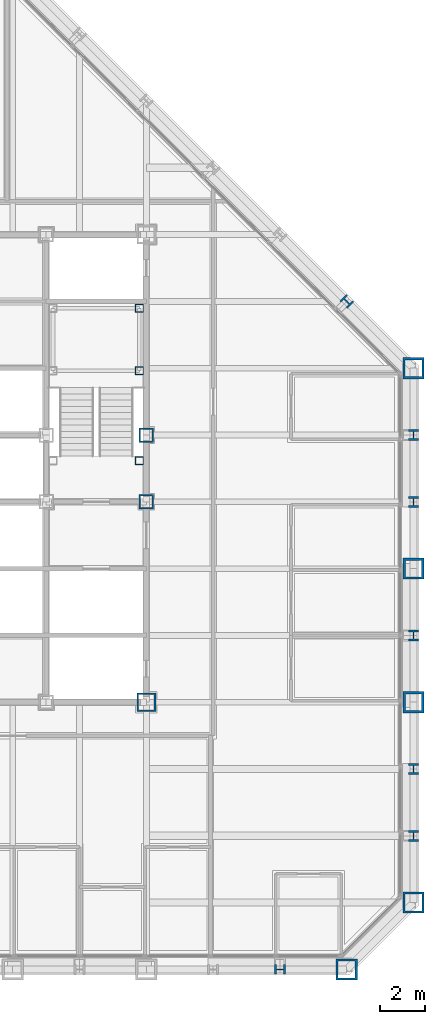
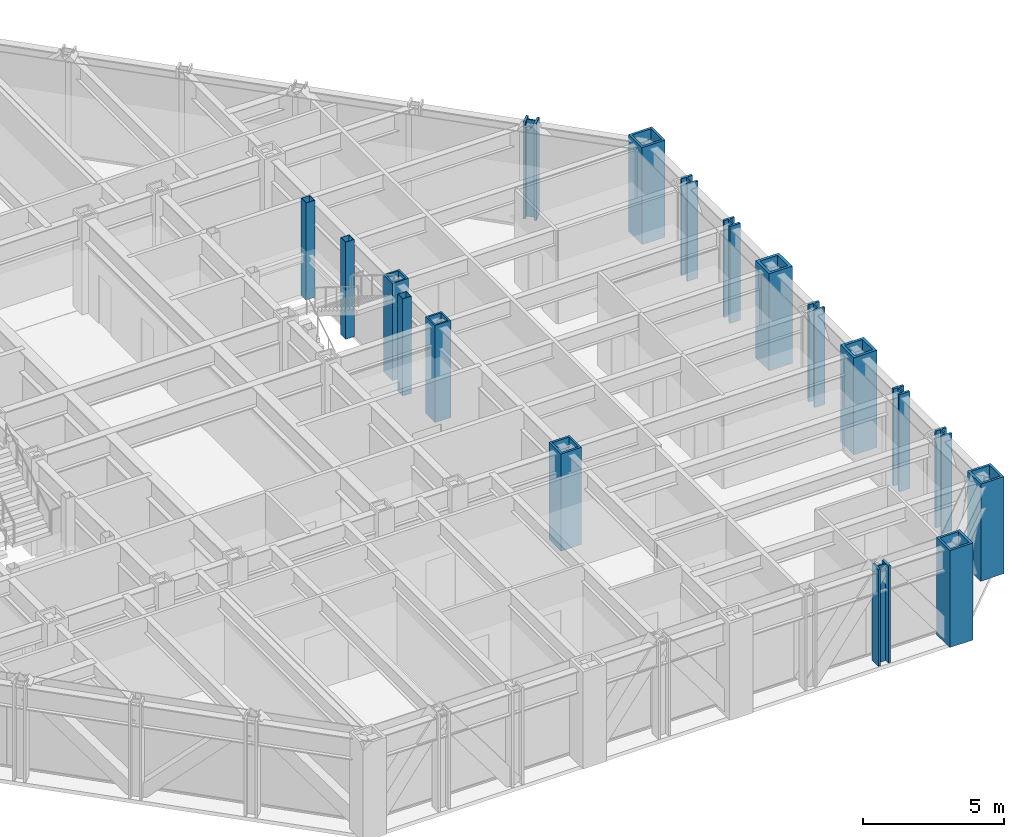
# One storey, part 2 of 16: 18 columns.
"""IFC4 building model written with IfcOpenShell, lengths in metres."""

from ifc_helpers import new_model, si_unit, direction, frame, origin, origin_2d, place, context, subcontext, project, spatial, hollow_rectangle, i_section, extrude, material, material_profile, profile_set, type_object, element, save


model = new_model("IFC4")

# Units and contexts
model_context = context("Model", 3, precision=1e-05, world=origin(), true_north=direction((0.0, 1.0)))
body_context = subcontext(model_context, "Body", "Model", "MODEL_VIEW")
ifc_project = project(units=[si_unit("LENGTHUNIT", "METRE"), si_unit("AREAUNIT", "SQUARE_METRE"), si_unit("VOLUMEUNIT", "CUBIC_METRE"), si_unit("PLANEANGLEUNIT", "RADIAN"), si_unit("MASSUNIT", "GRAM", prefix="KILO")], contexts=[model_context])

# Site, building, storey
site_placement = place(None, origin())
site = spatial("IfcSite", under=ifc_project, at=site_placement, CompositionType="ELEMENT")
building_placement = place(site_placement, origin())
building = spatial("IfcBuilding", under=site, at=building_placement, Name="Chuquiago Exchange Tower", CompositionType="ELEMENT")
storey_placement = place(building_placement, frame((0.0, 0.0, 148.800048828125)))
storey = spatial("IfcBuildingStorey", under=building, at=storey_placement, Name="L32", CompositionType="ELEMENT", Elevation=148.800048828125)

# Columns
ifc_material_1 = material(Name="Steel ASTM A992", Category="steel")
ifc_material_profile_1 = material_profile(ifc_material_1, i_section(OverallWidth=0.431884765625, OverallDepth=0.497802734375, WebThickness=0.0556640625, FlangeThickness=0.0888671875, at=origin_2d()), Name="W14X500")
ifc_profile_set_1 = profile_set([ifc_material_profile_1], Name="Steel ASTM A992")
column_type_1 = type_object("IfcColumnType", Name="C7 W14X500", PredefinedType="COLUMN", material=ifc_profile_set_1)
for number, where, z_axis, x_axis, name in (
    (1, (39.0, 0.0, 0.0), (0.0, 0.0, 1.0), (0.0, -1.0, 0.0), "COL-L32-39_0"),
    (2, (45.0, 6.0, 0.0), (0.0, 0.0, 1.0), (1.0, 0.0, 0.0), "COL-L32-45_6"),
    (3, (45.0, 9.0, 0.0), (0.0, 0.0, 1.0), (1.0, 0.0, 0.0), "COL-L32-45_9"),
    (4, (45.0, 15.0, 0.0), (0.0, 0.0, 1.0), (1.0, 0.0, 0.0), "COL-L32-45_15"),
    (5, (45.0, 21.0, 0.0), (0.0, 0.0, 1.0), (1.0, 0.0, 0.0), "COL-L32-45_21"),
    (6, (45.0, 24.0, 0.0), (0.0, 0.0, 1.0), (1.0, 0.0, 0.0), "COL-L32-45_24"),
):
    element("IfcColumn", number, at=place(storey_placement, frame(where, z_axis=z_axis, x_axis=x_axis)), inside=storey, type_object=column_type_1, Name=name, PredefinedType="COLUMN", context=body_context, shape_type="SweptSolid", body=[
        extrude(i_section(OverallWidth=0.431884765625, OverallDepth=0.497802734375, WebThickness=0.0556640625, FlangeThickness=0.0888671875, at=origin_2d()), origin(), (0.0, 0.0, 1.0), 4.199951171875),
    ])
ifc_material_2 = material(Name="Steel ASTM A572 Grade 50", Category="steel")
ifc_material_profile_2 = material_profile(ifc_material_2, hollow_rectangle(XDim=0.85009765625, YDim=0.85009765625, WallThickness=0.0849609375, at=origin_2d()), Name="BOX850X850X85")
ifc_profile_set_2 = profile_set([ifc_material_profile_2], Name="Steel ASTM A572 Grade 50")
column_type_2 = type_object("IfcColumnType", Name="CC6 BOX850X850X85", PredefinedType="COLUMN", material=ifc_profile_set_2)
column_1_placement = place(storey_placement, frame((33.0, 12.0, 0.0), z_axis=(0.0, 0.0, 1.0), x_axis=(1.0, 0.0, 0.0)))
element("IfcColumn", 7, at=column_1_placement, inside=storey, type_object=column_type_2, Name="CCOL-L32-33_12", PredefinedType="COLUMN", context=body_context, shape_type="SweptSolid", body=[
    extrude(hollow_rectangle(XDim=0.85009765625, YDim=0.85009765625, WallThickness=0.0849609375, at=origin_2d()), origin(), (0.0, 0.0, 1.0), 4.199951171875),
])
ifc_material_3 = material(Name="Steel ASTM A572 Grade 50", Category="steel")
ifc_material_profile_3 = material_profile(ifc_material_3, hollow_rectangle(XDim=0.64990234375, YDim=0.64990234375, WallThickness=0.06494140625, at=origin_2d()), Name="BOX650X650X65")
ifc_profile_set_3 = profile_set([ifc_material_profile_3], Name="Steel ASTM A572 Grade 50")
column_type_3 = type_object("IfcColumnType", Name="CC7 BOX650X650X65", PredefinedType="COLUMN", material=ifc_profile_set_3)
for number, where, z_axis, x_axis, name in (
    (8, (33.0, 21.0, 0.0), (0.0, 0.0, 1.0), (1.0, 0.0, 0.0), "CCOL-L32-33_21"),
    (9, (33.0, 24.0, 0.0), (0.0, 0.0, 1.0), (1.0, 0.0, 0.0), "CCOL-L32-33_24"),
):
    element("IfcColumn", number, at=place(storey_placement, frame(where, z_axis=z_axis, x_axis=x_axis)), inside=storey, type_object=column_type_3, Name=name, PredefinedType="COLUMN", context=body_context, shape_type="SweptSolid", body=[
        extrude(hollow_rectangle(XDim=0.64990234375, YDim=0.64990234375, WallThickness=0.06494140625, at=origin_2d()), origin(), (0.0, 0.0, 1.0), 4.199951171875),
    ])
ifc_material_4 = material(Name="Steel ASTM A992", Category="steel")
ifc_material_profile_4 = material_profile(ifc_material_4, i_section(OverallWidth=0.4267578125, OverallDepth=0.482666015625, WebThickness=0.05126953125, FlangeThickness=0.08154296875, at=origin_2d()), Name="W14X455")
ifc_profile_set_4 = profile_set([ifc_material_profile_4], Name="Steel ASTM A992")
column_type_4 = type_object("IfcColumnType", Name="CK6 W14X455", PredefinedType="COLUMN", material=ifc_profile_set_4)
column_2_placement = place(storey_placement, frame((42.0, 30.0, 0.0), z_axis=(0.0, 0.0, 1.0), x_axis=(0.707106781187, 0.707106781187, 0.0)))
element("IfcColumn", 10, at=column_2_placement, inside=storey, type_object=column_type_4, Name="COL-L32-42_30", PredefinedType="COLUMN", context=body_context, shape_type="SweptSolid", body=[
    extrude(i_section(OverallWidth=0.4267578125, OverallDepth=0.482666015625, WebThickness=0.05126953125, FlangeThickness=0.08154296875, at=origin_2d()), origin(), (0.0, 0.0, 1.0), 4.199951171875),
])
ifc_material_5 = material(Name="Steel ASTM A572 Grade 50", Category="steel")
ifc_material_profile_5 = material_profile(ifc_material_5, hollow_rectangle(XDim=0.949951171875, YDim=0.949951171875, WallThickness=0.094970703125, at=origin_2d()), Name="BOX950X950X95")
ifc_profile_set_5 = profile_set([ifc_material_profile_5], Name="Steel ASTM A572 Grade 50")
column_type_5 = type_object("IfcColumnType", Name="CN1 BOX950X950X95", PredefinedType="COLUMN", material=ifc_profile_set_5)
for number, where, z_axis, x_axis, name in (
    (11, (42.0, 0.0, 0.0), (0.0, 0.0, 1.0), (0.0, -1.0, 0.0), "COL-L32-42_0"),
    (12, (45.0, 3.0, 0.0), (0.0, 0.0, 1.0), (1.0, 0.0, 0.0), "COL-L32-45_3"),
    (13, (45.0, 27.0, 0.0), (0.0, 0.0, 1.0), (1.0, 0.0, 0.0), "COL-L32-45_27"),
):
    element("IfcColumn", number, at=place(storey_placement, frame(where, z_axis=z_axis, x_axis=x_axis)), inside=storey, type_object=column_type_5, Name=name, PredefinedType="COLUMN", context=body_context, shape_type="SweptSolid", body=[
        extrude(hollow_rectangle(XDim=0.949951171875, YDim=0.949951171875, WallThickness=0.094970703125, at=origin_2d()), origin(), (0.0, 0.0, 1.0), 4.199951171875),
    ])
ifc_material_6 = material(Name="Steel ASTM A572 Grade 42", Category="steel")
ifc_material_profile_6 = material_profile(ifc_material_6, hollow_rectangle(XDim=0.949951171875, YDim=0.949951171875, WallThickness=0.110107421875, at=origin_2d()), Name="BOX950X950X110")
ifc_profile_set_6 = profile_set([ifc_material_profile_6], Name="Steel ASTM A572 Grade 42")
column_type_6 = type_object("IfcColumnType", Name="CT1 BOX950X950X110", PredefinedType="COLUMN", material=ifc_profile_set_6)
for number, where, z_axis, x_axis, name in (
    (14, (45.0, 12.0, 0.0), (0.0, 0.0, 1.0), (1.0, 0.0, 0.0), "COL-L32-45_12"),
    (15, (45.0, 18.0, 0.0), (0.0, 0.0, 1.0), (1.0, 0.0, 0.0), "COL-L32-45_18"),
):
    element("IfcColumn", number, at=place(storey_placement, frame(where, z_axis=z_axis, x_axis=x_axis)), inside=storey, type_object=column_type_6, Name=name, PredefinedType="COLUMN", context=body_context, shape_type="SweptSolid", body=[
        extrude(hollow_rectangle(XDim=0.949951171875, YDim=0.949951171875, WallThickness=0.110107421875, at=origin_2d()), origin(), (0.0, 0.0, 1.0), 4.199951171875),
    ])
ifc_material_7 = material(Name="Steel ASTM A500 Grade C", Category="steel")
ifc_material_profile_7 = material_profile(ifc_material_7, hollow_rectangle(XDim=0.355712890625, YDim=0.355712890625, WallThickness=0.0146484375, at=origin_2d()), Name="HSS14X14X5/8")
ifc_profile_set_7 = profile_set([ifc_material_profile_7], Name="Steel ASTM A500 Grade C")
column_type_7 = type_object("IfcColumnType", Name="PT2 HSS14X14X5/8", PredefinedType="COLUMN", material=ifc_profile_set_7)
for number, where, z_axis, x_axis, name in (
    (16, (32.68994140625, 29.68994140625, 0.0), (0.0, 0.0, 1.0), (1.0, 0.0, 0.0), "Stair ST2 L32 landing post"),
    (17, (32.68994140625, 26.889892578125, 0.0), (0.0, 0.0, 1.0), (1.0, 0.0, 0.0), "Stair ST2 L32 landing post"),
    (18, (32.68994140625, 22.85009765625, 0.0), (0.0, 0.0, 1.0), (1.0, 0.0, 0.0), "Stair ST2 L32 landing post"),
):
    element("IfcColumn", number, at=place(storey_placement, frame(where, z_axis=z_axis, x_axis=x_axis)), inside=storey, type_object=column_type_7, Name=name, PredefinedType="COLUMN", context=body_context, shape_type="SweptSolid", body=[
        extrude(hollow_rectangle(XDim=0.355712890625, YDim=0.355712890625, WallThickness=0.0146484375, at=origin_2d()), origin(), (0.0, 0.0, 1.0), 4.199951171875),
    ])

save(model, "model.ifc")
